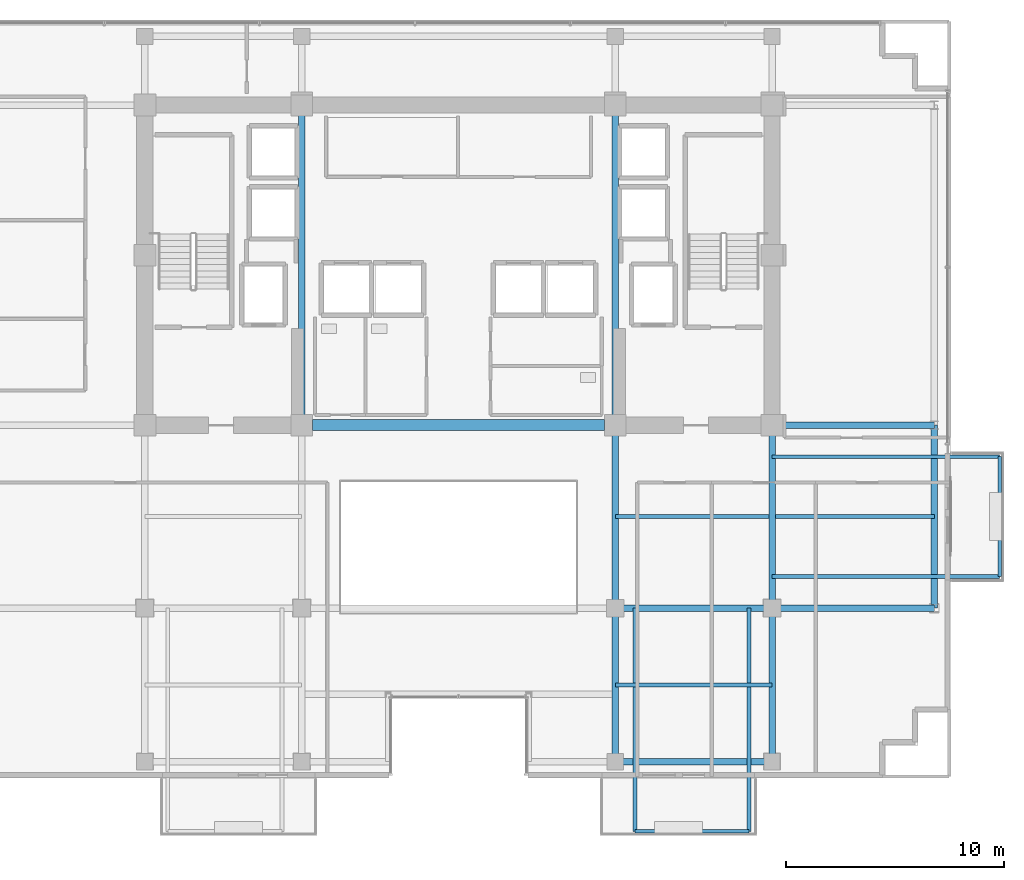
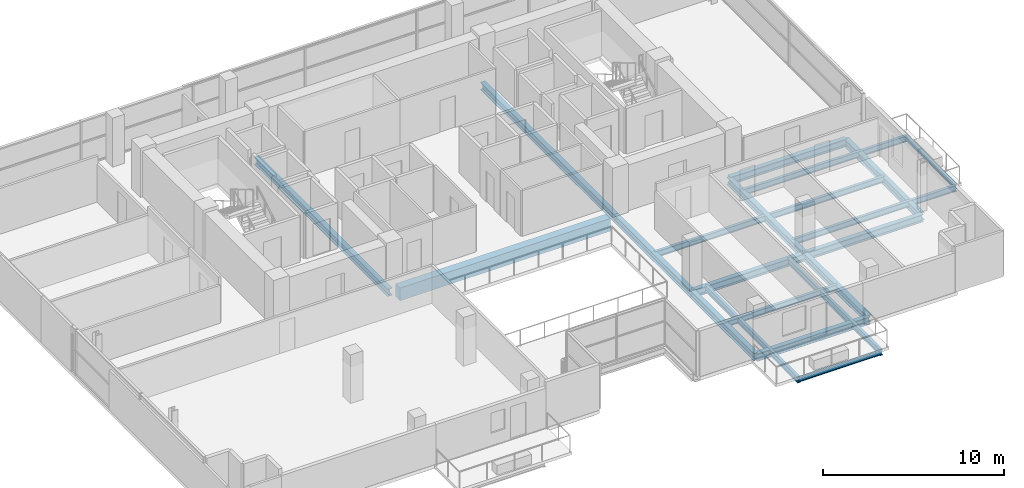
# One storey, part 11 of 25: 21 beams.
"""IFC4 building model written with IfcOpenShell, lengths in metres."""

import ifcopenshell
import ifcopenshell.guid

model = None  # the IFC model being written
_history = None  # IfcOwnerHistory: only IFC2X3 demands one
_inside = {}  # id of a spatial element -> (the spatial element, [elements in it])
_under = {}  # id of a project, library or spatial element -> (it, [spatial elements below it])
_declared = {}  # id of a project -> (the project, [libraries it declares])
_typed = {}  # id of a type object -> (the type object, [elements of that type])
_made_of = {}  # id of a material, layer set ... -> (it, [elements and type objects made of it])


def new_model(schema):
    """Start an empty IFC model of exactly this schema.

    Asked for "IFC4X3", IfcOpenShell would pick the latest addendum, in which some entities
    have other attributes; the version numbers below select the first issue.
    IFC2X3 requires an IfcOwnerHistory on every rooted entity: one is made here for all.
    """
    global model, _history
    if schema == "IFC4X3":
        model = ifcopenshell.file(schema_version=(4, 3, 0, 0))
    else:
        model = ifcopenshell.file(schema=schema)
    _inside.clear()
    _under.clear()
    _declared.clear()
    _typed.clear()
    _made_of.clear()
    _history = None
    if model.schema == "IFC2X3":
        org = make("IfcOrganization", Name="unknown")
        user = make(
            "IfcPersonAndOrganization",
            ThePerson=make("IfcPerson", FamilyName="unknown"),
            TheOrganization=org,
        )
        app = make(
            "IfcApplication",
            ApplicationDeveloper=org,
            Version="unknown",
            ApplicationFullName="unknown",
            ApplicationIdentifier="unknown",
        )
        _history = make(
            "IfcOwnerHistory",
            OwningUser=user,
            OwningApplication=app,
            ChangeAction="ADDED",
            CreationDate=0,
        )
    return model


def make(cls, **values):
    """One entity of the class cls with the attributes given. An attribute that is None is left unset."""
    return model.create_entity(
        cls, **{name: value for name, value in values.items() if value is not None}
    )


def rooted(cls, **values):
    """An entity with a GlobalId (a new one), such as an element, a storey or a relation."""
    return make(cls, GlobalId=ifcopenshell.guid.new(), OwnerHistory=_history, **values)


def si_unit(unit_type, name, prefix=None):
    """IfcSIUnit, for example si_unit("LENGTHUNIT", "METRE", prefix="MILLI")."""
    return make("IfcSIUnit", UnitType=unit_type, Prefix=prefix, Name=name)


def assignment(units):
    """IfcUnitAssignment: the units of a project."""
    return None if units is None else make("IfcUnitAssignment", Units=units)


def point(xyz):
    """IfcCartesianPoint."""
    return None if xyz is None else make("IfcCartesianPoint", Coordinates=xyz)


def direction(xyz):
    """IfcDirection."""
    return None if xyz is None else make("IfcDirection", DirectionRatios=xyz)


def frame(location, z_axis=None, x_axis=None):
    """IfcAxis2Placement3D, a coordinate frame: its origin and axes. An axis left out is left unset."""
    return make(
        "IfcAxis2Placement3D",
        Location=point(location),
        Axis=direction(z_axis),
        RefDirection=direction(x_axis),
    )


def frame_2d(location, x_axis=None):
    """IfcAxis2Placement2D, a coordinate frame in the plane: its origin and x axis."""
    return make(
        "IfcAxis2Placement2D", Location=point(location), RefDirection=direction(x_axis)
    )


def origin():
    """The frame at (0, 0, 0) with its axes left unset."""
    return frame((0.0, 0.0, 0.0))


def origin_2d():
    """The frame at (0, 0) in the plane with its x axis left unset."""
    return frame_2d((0.0, 0.0))


def place(relative_to, where):
    """IfcLocalPlacement: puts the frame where relative to a parent placement (None: the world)."""
    return make(
        "IfcLocalPlacement", PlacementRelTo=relative_to, RelativePlacement=where
    )


def context(
    kind, dimensions, precision=None, world=None, true_north=None, identifier=None
):
    """IfcGeometricRepresentationContext, for example the 3D "Model" context."""
    return make(
        "IfcGeometricRepresentationContext",
        ContextIdentifier=identifier,
        ContextType=kind,
        CoordinateSpaceDimension=dimensions,
        Precision=precision,
        WorldCoordinateSystem=world,
        TrueNorth=true_north,
    )


def subcontext(parent, identifier, kind, view, scale=None):
    """IfcGeometricRepresentationSubContext, for example "Body" below "Model"."""
    return make(
        "IfcGeometricRepresentationSubContext",
        ContextIdentifier=identifier,
        ContextType=kind,
        ParentContext=parent,
        TargetScale=scale,
        TargetView=view,
    )


def project(units=None, contexts=None):
    """IfcProject with its units and contexts."""
    return rooted(
        "IfcProject",
        Name="project",
        RepresentationContexts=contexts,
        UnitsInContext=assignment(units),
    )


def spatial(cls, under=None, at=None, **own):
    """A site, building, storey or space (cls), placed at a placement, below another one or the project."""
    s = rooted(cls, ObjectPlacement=at, **own)
    if under is not None:
        _under.setdefault(under.id(), (under, []))[1].append(s)
    return s


def profile(cls, at=None, kind="AREA", **sizes):
    """A parametric profile (cls). Its sizes go by their IFC names, for example OverallWidth=200.0."""
    return make(cls, ProfileType=kind, Position=at, **sizes)


def rectangle(**sizes):
    """IfcRectangleProfileDef."""
    return profile("IfcRectangleProfileDef", **sizes)


def i_section(**sizes):
    """IfcIShapeProfileDef."""
    return profile("IfcIShapeProfileDef", **sizes)


def extrude(swept, where, along, depth):
    """IfcExtrudedAreaSolid: the profile swept, set in the frame where, extruded along a direction by depth."""
    return make(
        "IfcExtrudedAreaSolid",
        SweptArea=swept,
        Position=where,
        ExtrudedDirection=direction(along),
        Depth=depth,
    )


def shape(context_of_items, identifier, shape_type, items):
    """IfcShapeRepresentation: the items that make up one representation, for example the "Body"."""
    return make(
        "IfcShapeRepresentation",
        ContextOfItems=context_of_items,
        RepresentationIdentifier=identifier,
        RepresentationType=shape_type,
        Items=items,
    )


def material(Name=None, Category=None):
    """IfcMaterial."""
    return make("IfcMaterial", Name=Name, Category=Category)


def material_profile(
    of_material, cross_section, Name=None, Category=None, Priority=None
):
    """IfcMaterialProfile: a cross section and its material."""
    return make(
        "IfcMaterialProfile",
        Name=Name,
        Material=of_material,
        Profile=cross_section,
        Priority=Priority,
        Category=Category,
    )


def profile_set(profiles, Name=None, composite=None):
    """IfcMaterialProfileSet."""
    return make(
        "IfcMaterialProfileSet",
        Name=Name,
        MaterialProfiles=profiles,
        CompositeProfile=composite,
    )


def made_of(thing, what):
    """Note that an element or type object is made of a material, layer set ...; save() writes the relation."""
    if what is not None:
        _made_of.setdefault(what.id(), (what, []))[1].append(thing)
    return thing


def type_object(cls, material=None, **own):
    """A type object (cls), such as IfcWallType, which elements share."""
    return made_of(rooted(cls, **own), material)


def element(
    cls,
    number,
    at=None,
    inside=None,
    cuts=None,
    type_object=None,
    material=None,
    context=None,
    identifier="Body",
    shape_type=None,
    held_by="IfcProductDefinitionShape",
    body=None,
    shapes=None,
    **own,
):
    """One element of the class cls, such as IfcWall. Its Tag is "e" and its number.

    at: its placement. inside: the storey or other place that contains it. cuts: it is an
    opening in that element (IfcRelVoidsElement). A single representation is given by context,
    identifier, shape_type and body (its items); several are given by shapes. held_by: the class
    of the entity that holds the representations. save() writes the other relations.
    """
    e = rooted(cls, Tag="e%d" % number, ObjectPlacement=at, **own)
    if body is not None:
        shapes = [shape(context, identifier, shape_type, body)]
    if shapes is not None:
        e.Representation = make(held_by, Representations=shapes)
    if inside is not None:
        _inside.setdefault(inside.id(), (inside, []))[1].append(e)
    if cuts is not None:
        rooted(
            "IfcRelVoidsElement", RelatingBuildingElement=cuts, RelatedOpeningElement=e
        )
    if type_object is not None:
        _typed.setdefault(type_object.id(), (type_object, []))[1].append(e)
    return made_of(e, material)


def aggregate(whole, parts):
    """IfcRelAggregates: a whole, such as a stair, and the parts it consists of."""
    return rooted("IfcRelAggregates", RelatingObject=whole, RelatedObjects=parts)


def save(model, path):
    """Write the relations noted so far, then the file.

    IfcRelAggregates (storeys below a building ...), IfcRelContainedInSpatialStructure (elements
    in a storey), IfcRelDefinesByType, IfcRelAssociatesMaterial and IfcRelDeclares: one each for
    every whole, place, type object, material and project.
    """
    for whole, parts in _under.values():
        aggregate(whole, parts)
    for where, things in _inside.values():
        rooted(
            "IfcRelContainedInSpatialStructure",
            RelatedElements=things,
            RelatingStructure=where,
        )
    for kind, things in _typed.values():
        rooted("IfcRelDefinesByType", RelatedObjects=things, RelatingType=kind)
    for what, things in _made_of.values():
        rooted("IfcRelAssociatesMaterial", RelatedObjects=things, RelatingMaterial=what)
    for by, libraries in _declared.values():
        rooted("IfcRelDeclares", RelatingContext=by, RelatedDefinitions=libraries)
    model.write(path)


model = new_model("IFC4")

# Units and contexts
model_context = context("Model", 3, precision=1e-05, world=origin(), true_north=direction((0.0, 1.0)))
body_context = subcontext(model_context, "Body", "Model", "MODEL_VIEW")
ifc_project = project(units=[si_unit("LENGTHUNIT", "METRE"), si_unit("AREAUNIT", "SQUARE_METRE"), si_unit("VOLUMEUNIT", "CUBIC_METRE"), si_unit("PLANEANGLEUNIT", "RADIAN"), si_unit("MASSUNIT", "GRAM", prefix="KILO")], contexts=[model_context])

# Site, building, storey
site_placement = place(None, origin())
site = spatial("IfcSite", under=ifc_project, at=site_placement, CompositionType="ELEMENT")
building_placement = place(site_placement, origin())
building = spatial("IfcBuilding", under=site, at=building_placement, Name="Zarnakvel Exchange Tower", CompositionType="ELEMENT")
storey_placement = place(building_placement, frame((0.0, 0.0, 156.10009765625)))
storey = spatial("IfcBuildingStorey", under=building, at=storey_placement, Name="L43", CompositionType="ELEMENT", Elevation=156.10009765625)

# Beams
ifc_material_1 = material(Name="Steel S355", Category="steel")
ifc_material_profile_1 = material_profile(ifc_material_1, i_section(OverallWidth=0.179931640625, OverallDepth=0.39990234375, WebThickness=0.008544921875, FlangeThickness=0.013427734375, FilletRadius=0.02099609375, at=origin_2d()))
ifc_profile_set_1 = profile_set([ifc_material_profile_1], Name="Steel S355")
beam_type_1 = type_object("IfcBeamType", Name="B-06", PredefinedType="JOIST", material=ifc_profile_set_1)
beam_1_placement = place(storey_placement, frame((7.199951171875, -13.125, -0.425048828125), z_axis=(1.0, 0.0, 0.0), x_axis=(0.0, 1.0, 0.0)))
element("IfcBeam", 1, at=beam_1_placement, inside=storey, type_object=beam_type_1, Name="L43 Composite Floor Secondary Joist", PredefinedType="JOIST", context=body_context, shape_type="SweptSolid", body=[
    extrude(i_section(OverallWidth=0.179931640625, OverallDepth=0.39990234375, WebThickness=0.008544921875, FlangeThickness=0.013427734375, FilletRadius=0.02099609375, at=origin_2d()), origin(), (0.0, 0.0, 1.0), 7.199951171875),
])
beam_2_placement = place(storey_placement, frame((7.199951171875, -5.39990234375, -0.425048828125), z_axis=(1.0, 0.0, 0.0), x_axis=(0.0, 1.0, 0.0)))
element("IfcBeam", 2, at=beam_2_placement, inside=storey, type_object=beam_type_1, Name="L43 Composite Floor Secondary Joist", PredefinedType="JOIST", context=body_context, shape_type="SweptSolid", body=[
    extrude(i_section(OverallWidth=0.179931640625, OverallDepth=0.39990234375, WebThickness=0.008544921875, FlangeThickness=0.013427734375, FilletRadius=0.02099609375, at=origin_2d()), origin(), (0.0, 0.0, 1.0), 7.050048828125),
])
beam_3_placement = place(storey_placement, frame((14.550048828125, -5.39990234375, -0.425048828125), z_axis=(1.0, 0.0, 0.0), x_axis=(0.0, 1.0, 0.0)))
element("IfcBeam", 3, at=beam_3_placement, inside=storey, type_object=beam_type_1, Name="L43 Composite Floor Secondary Joist", PredefinedType="JOIST", context=body_context, shape_type="SweptSolid", body=[
    extrude(i_section(OverallWidth=0.179931640625, OverallDepth=0.39990234375, WebThickness=0.008544921875, FlangeThickness=0.013427734375, FilletRadius=0.02099609375, at=origin_2d()), origin(), (0.0, 0.0, 1.0), 7.300048828125),
])
for number, where, z_axis, x_axis, name in (
    (4, (8.10009765625, -9.60009765625, -0.425048828125), (0.0, -1.0, 0.0), (1.0, 0.0, 0.0), "L43 Continuous Back-Spanned Balcony Beam W"),
    (5, (13.35009765625, -9.60009765625, -0.425048828125), (0.0, -1.0, 0.0), (1.0, 0.0, 0.0), "L43 Continuous Back-Spanned Balcony Beam E"),
):
    element("IfcBeam", number, at=place(storey_placement, frame(where, z_axis=z_axis, x_axis=x_axis)), inside=storey, type_object=beam_type_1, Name=name, PredefinedType="JOIST", context=body_context, shape_type="SweptSolid", body=[
        extrude(i_section(OverallWidth=0.179931640625, OverallDepth=0.39990234375, WebThickness=0.008544921875, FlangeThickness=0.013427734375, FilletRadius=0.02099609375, at=origin_2d()), origin(), (0.0, 0.0, 1.0), 10.25),
    ])
for number, where, z_axis, x_axis, name in (
    (6, (14.39990234375, -8.14990234375, -0.425048828125), (1.0, 0.0, 0.0), (0.0, 1.0, 0.0), "L43 Continuous East Loggia Beam S"),
    (7, (14.39990234375, -2.64990234375, -0.425048828125), (1.0, 0.0, 0.0), (0.0, 1.0, 0.0), "L43 Continuous East Loggia Beam N"),
):
    element("IfcBeam", number, at=place(storey_placement, frame(where, z_axis=z_axis, x_axis=x_axis)), inside=storey, type_object=beam_type_1, Name=name, PredefinedType="JOIST", context=body_context, shape_type="SweptSolid", body=[
        extrude(i_section(OverallWidth=0.179931640625, OverallDepth=0.39990234375, WebThickness=0.008544921875, FlangeThickness=0.013427734375, FilletRadius=0.02099609375, at=origin_2d()), origin(), (0.0, 0.0, 1.0), 10.4501953125),
    ])
ifc_material_profile_2 = material_profile(ifc_material_1, i_section(OverallWidth=0.14990234375, OverallDepth=0.300048828125, WebThickness=0.007080078125, FlangeThickness=0.0107421875, FilletRadius=0.014892578125, at=origin_2d()))
ifc_profile_set_2 = profile_set([ifc_material_profile_2], Name="Steel S355")
beam_type_2 = type_object("IfcBeamType", Name="B-08", PredefinedType="JOIST", material=ifc_profile_set_2)
beam_4_placement = place(storey_placement, frame((8.10009765625, -19.85009765625, -0.375), z_axis=(1.0, 0.0, 0.0), x_axis=(0.0, 1.0, 0.0)))
element("IfcBeam", 8, at=beam_4_placement, inside=storey, type_object=beam_type_2, Name="L43 Balcony Edge Beam", PredefinedType="JOIST", context=body_context, shape_type="SweptSolid", body=[
    extrude(i_section(OverallWidth=0.14990234375, OverallDepth=0.300048828125, WebThickness=0.007080078125, FlangeThickness=0.0107421875, FilletRadius=0.014892578125, at=origin_2d()), origin(), (0.0, 0.0, 1.0), 5.25),
])
beam_5_placement = place(storey_placement, frame((24.85009765625, -8.14990234375, -0.375), z_axis=(0.0, 1.0, 0.0), x_axis=(-1.0, 0.0, 0.0)))
element("IfcBeam", 9, at=beam_5_placement, inside=storey, type_object=beam_type_2, Name="L43 East Loggia Edge Beam", PredefinedType="JOIST", context=body_context, shape_type="SweptSolid", body=[
    extrude(i_section(OverallWidth=0.14990234375, OverallDepth=0.300048828125, WebThickness=0.007080078125, FlangeThickness=0.0107421875, FilletRadius=0.014892578125, at=origin_2d()), origin(), (0.0, 0.0, 1.0), 5.5),
])
ifc_material_2 = material(Name="Concrete C60/75", Category="concrete")
ifc_material_profile_3 = material_profile(ifc_material_2, rectangle(XDim=0.5, YDim=0.85009765625, at=origin_2d()))
ifc_profile_set_3 = profile_set([ifc_material_profile_3], Name="Concrete C60/75")
beam_type_3 = type_object("IfcBeamType", Name="CB-02", PredefinedType="LINTEL", material=ifc_profile_set_3)
beam_6_placement = place(storey_placement, frame((-6.699951171875, -1.199951171875, -0.650146484375), z_axis=(1.0, 0.0, 0.0), x_axis=(0.0, 1.0, 0.0)))
element("IfcBeam", 10, at=beam_6_placement, inside=storey, type_object=beam_type_3, Name="L43 Rear Core South Coupling Beam (CB-02)", PredefinedType="LINTEL", context=body_context, shape_type="SweptSolid", body=[
    extrude(rectangle(XDim=0.5, YDim=0.85009765625, at=origin_2d()), origin(), (0.0, 0.0, 1.0), 13.39990234375),
])
ifc_material_profile_4 = material_profile(ifc_material_1, i_section(OverallWidth=0.300048828125, OverallDepth=0.5, WebThickness=0.014404296875, FlangeThickness=0.028076171875, FilletRadius=0.027099609375, at=origin_2d()))
ifc_profile_set_4 = profile_set([ifc_material_profile_4], Name="Steel S355")
beam_type_4 = type_object("IfcBeamType", Name="G-06", PredefinedType="BEAM", material=ifc_profile_set_4)
beam_7_placement = place(storey_placement, frame((7.199951171875, -9.60009765625, -0.47509765625), z_axis=(1.0, 0.0, 0.0), x_axis=(0.0, 1.0, 0.0)))
element("IfcBeam", 11, at=beam_7_placement, inside=storey, type_object=beam_type_4, Name="L43 Tower E-W Frame Beam", PredefinedType="BEAM", context=body_context, shape_type="SweptSolid", body=[
    extrude(i_section(OverallWidth=0.300048828125, OverallDepth=0.5, WebThickness=0.014404296875, FlangeThickness=0.028076171875, FilletRadius=0.027099609375, at=origin_2d()), origin(), (0.0, 0.0, 1.0), 7.199951171875),
])
for number, where, z_axis, x_axis, name in (
    (12, (14.39990234375, -9.60009765625, -0.47509765625), (1.0, 0.0, 0.0), (0.0, 1.0, 0.0), "L43 Tower E-W Frame Beam"),
    (13, (14.39990234375, -1.199951171875, -0.47509765625), (1.0, 0.0, 0.0), (0.0, 1.0, 0.0), "L43 Tower E-W Frame Beam"),
):
    element("IfcBeam", number, at=place(storey_placement, frame(where, z_axis=z_axis, x_axis=x_axis)), inside=storey, type_object=beam_type_4, Name=name, PredefinedType="BEAM", context=body_context, shape_type="SweptSolid", body=[
        extrude(i_section(OverallWidth=0.300048828125, OverallDepth=0.5, WebThickness=0.014404296875, FlangeThickness=0.028076171875, FilletRadius=0.027099609375, at=origin_2d()), origin(), (0.0, 0.0, 1.0), 7.4501953125),
    ])
beam_8_placement = place(storey_placement, frame((-7.199951171875, -1.199951171875, -0.47509765625), z_axis=(0.0, 1.0, 0.0), x_axis=(-1.0, 0.0, 0.0)))
element("IfcBeam", 14, at=beam_8_placement, inside=storey, type_object=beam_type_4, Name="L43 Tower N-S Frame Beam", PredefinedType="BEAM", context=body_context, shape_type="SweptSolid", body=[
    extrude(i_section(OverallWidth=0.300048828125, OverallDepth=0.5, WebThickness=0.014404296875, FlangeThickness=0.028076171875, FilletRadius=0.027099609375, at=origin_2d()), origin(), (0.0, 0.0, 1.0), 14.699951171875),
])
beam_9_placement = place(storey_placement, frame((7.199951171875, -16.64990234375, -0.47509765625), z_axis=(0.0, 1.0, 0.0), x_axis=(-1.0, 0.0, 0.0)))
element("IfcBeam", 15, at=beam_9_placement, inside=storey, type_object=beam_type_4, Name="L43 Tower N-S Frame Beam", PredefinedType="BEAM", context=body_context, shape_type="SweptSolid", body=[
    extrude(i_section(OverallWidth=0.300048828125, OverallDepth=0.5, WebThickness=0.014404296875, FlangeThickness=0.028076171875, FilletRadius=0.027099609375, at=origin_2d()), origin(), (0.0, 0.0, 1.0), 7.0498046875),
])
beam_10_placement = place(storey_placement, frame((7.199951171875, -9.60009765625, -0.47509765625), z_axis=(0.0, 1.0, 0.0), x_axis=(-1.0, 0.0, 0.0)))
element("IfcBeam", 16, at=beam_10_placement, inside=storey, type_object=beam_type_4, Name="L43 Tower N-S Frame Beam", PredefinedType="BEAM", context=body_context, shape_type="SweptSolid", body=[
    extrude(i_section(OverallWidth=0.300048828125, OverallDepth=0.5, WebThickness=0.014404296875, FlangeThickness=0.028076171875, FilletRadius=0.027099609375, at=origin_2d()), origin(), (0.0, 0.0, 1.0), 8.400146484375),
])
beam_11_placement = place(storey_placement, frame((7.199951171875, -1.199951171875, -0.47509765625), z_axis=(0.0, 1.0, 0.0), x_axis=(-1.0, 0.0, 0.0)))
element("IfcBeam", 17, at=beam_11_placement, inside=storey, type_object=beam_type_4, Name="L43 Tower N-S Frame Beam", PredefinedType="BEAM", context=body_context, shape_type="SweptSolid", body=[
    extrude(i_section(OverallWidth=0.300048828125, OverallDepth=0.5, WebThickness=0.014404296875, FlangeThickness=0.028076171875, FilletRadius=0.027099609375, at=origin_2d()), origin(), (0.0, 0.0, 1.0), 14.699951171875),
])
beam_12_placement = place(storey_placement, frame((14.39990234375, -16.64990234375, -0.47509765625), z_axis=(0.0, 1.0, 0.0), x_axis=(-1.0, 0.0, 0.0)))
element("IfcBeam", 18, at=beam_12_placement, inside=storey, type_object=beam_type_4, Name="L43 Tower N-S Frame Beam", PredefinedType="BEAM", context=body_context, shape_type="SweptSolid", body=[
    extrude(i_section(OverallWidth=0.300048828125, OverallDepth=0.5, WebThickness=0.014404296875, FlangeThickness=0.028076171875, FilletRadius=0.027099609375, at=origin_2d()), origin(), (0.0, 0.0, 1.0), 7.0498046875),
])
beam_13_placement = place(storey_placement, frame((14.39990234375, -9.60009765625, -0.47509765625), z_axis=(0.0, 1.0, 0.0), x_axis=(-1.0, 0.0, 0.0)))
element("IfcBeam", 19, at=beam_13_placement, inside=storey, type_object=beam_type_4, Name="L43 Tower N-S Frame Beam", PredefinedType="BEAM", context=body_context, shape_type="SweptSolid", body=[
    extrude(i_section(OverallWidth=0.300048828125, OverallDepth=0.5, WebThickness=0.014404296875, FlangeThickness=0.028076171875, FilletRadius=0.027099609375, at=origin_2d()), origin(), (0.0, 0.0, 1.0), 8.400146484375),
])
ifc_material_profile_5 = material_profile(ifc_material_1, i_section(OverallWidth=0.300048828125, OverallDepth=0.5, WebThickness=0.014404296875, FlangeThickness=0.028076171875, FilletRadius=0.027099609375, at=origin_2d()))
ifc_profile_set_5 = profile_set([ifc_material_profile_5], Name="Steel S355")
beam_type_5 = type_object("IfcBeamType", Name="SP-02", PredefinedType="SPANDREL", material=ifc_profile_set_5)
beam_14_placement = place(storey_placement, frame((7.199951171875, -16.64990234375, -0.47509765625), z_axis=(1.0, 0.0, 0.0), x_axis=(0.0, 1.0, 0.0)))
element("IfcBeam", 20, at=beam_14_placement, inside=storey, type_object=beam_type_5, Name="L43 Tower E-W Frame Beam", PredefinedType="SPANDREL", context=body_context, shape_type="SweptSolid", body=[
    extrude(i_section(OverallWidth=0.300048828125, OverallDepth=0.5, WebThickness=0.014404296875, FlangeThickness=0.028076171875, FilletRadius=0.027099609375, at=origin_2d()), origin(), (0.0, 0.0, 1.0), 7.199951171875),
])
beam_15_placement = place(storey_placement, frame((21.85009765625, -9.60009765625, -0.47509765625), z_axis=(0.0, 1.0, 0.0), x_axis=(-1.0, 0.0, 0.0)))
element("IfcBeam", 21, at=beam_15_placement, inside=storey, type_object=beam_type_5, Name="L43 Tower N-S Frame Beam", PredefinedType="SPANDREL", context=body_context, shape_type="SweptSolid", body=[
    extrude(i_section(OverallWidth=0.300048828125, OverallDepth=0.5, WebThickness=0.014404296875, FlangeThickness=0.028076171875, FilletRadius=0.027099609375, at=origin_2d()), origin(), (0.0, 0.0, 1.0), 8.400146484375),
])

save(model, "model.ifc")
